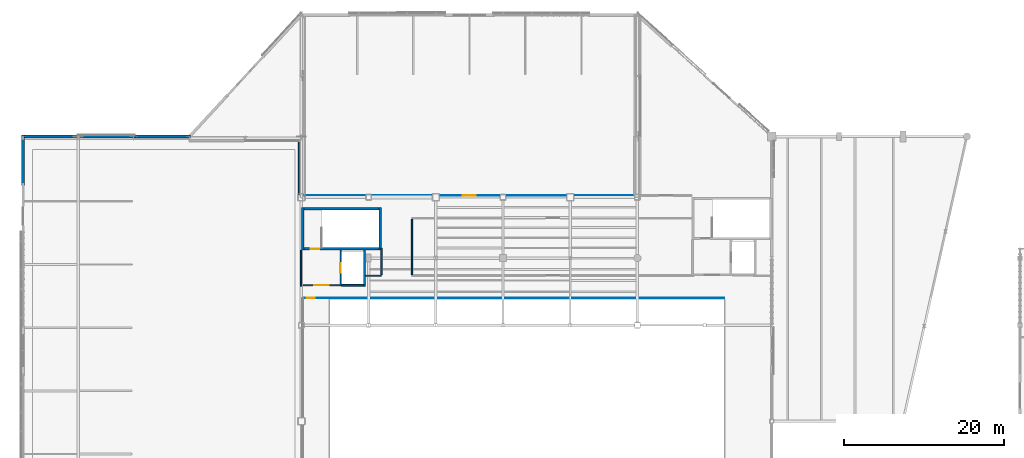
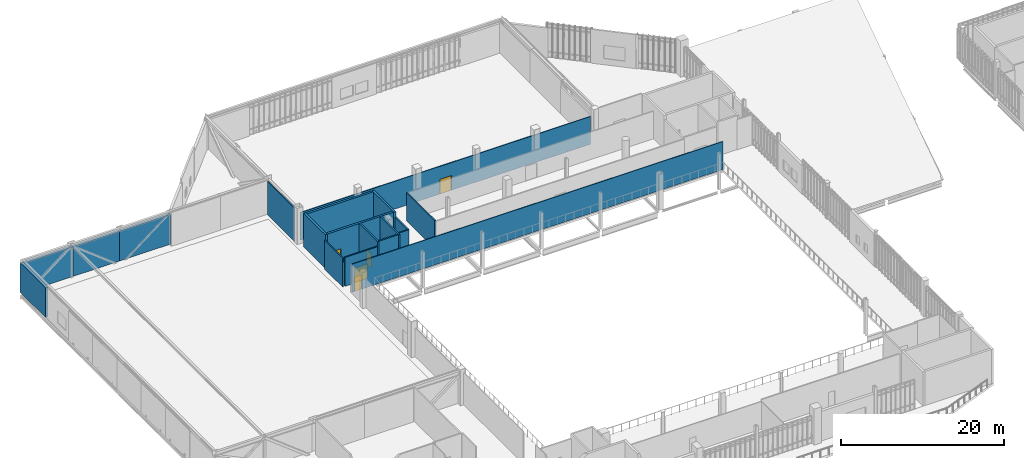
# One storey, part 116 of 135: 19 walls, 5 doors, 5 openings.
"""IFC4 building model written with IfcOpenShell, lengths in metres."""

from ifc_helpers import new_model, si_unit, direction, frame, frame_2d, origin, place, context, subcontext, project, spatial, rectangle, extrude, material, layer, layer_set, type_object, element, fill, save


model = new_model("IFC4")

# Units and contexts
model_context = context("Model", 3, precision=1e-05, world=origin(), true_north=direction((0.0, 1.0)))
body_context = subcontext(model_context, "Body", "Model", "MODEL_VIEW")
ifc_project = project(units=[si_unit("LENGTHUNIT", "METRE"), si_unit("AREAUNIT", "SQUARE_METRE"), si_unit("VOLUMEUNIT", "CUBIC_METRE"), si_unit("PLANEANGLEUNIT", "RADIAN"), si_unit("MASSUNIT", "GRAM", prefix="KILO")], contexts=[model_context])

# Site, building, storey
site_placement = place(None, origin())
site = spatial("IfcSite", under=ifc_project, at=site_placement, CompositionType="ELEMENT")
building_placement = place(site_placement, origin())
building = spatial("IfcBuilding", under=site, at=building_placement, Name="Larkvane Passage Sports Hall", CompositionType="ELEMENT")
storey_placement = place(building_placement, frame((0.0, 0.0, 16.800048828125)))
storey = spatial("IfcBuildingStorey", under=building, at=storey_placement, Name="L03", CompositionType="ELEMENT", Elevation=16.800048828125)

# Wall
ifc_material_1 = material(Name="Concrete C50/60", Category="concrete")
ifc_layer_1 = layer(ifc_material_1, 0.340087890625)
ifc_layer_set_1 = layer_set([ifc_layer_1], Name="Concrete C50/60")
wall_type_1 = type_object("IfcWallType", Name="WL-CORE-340", PredefinedType="SHEAR", material=ifc_layer_set_1)
wall_1_placement = place(storey_placement, frame((44.64990234375, 90.300048828125, 0.0), z_axis=(0.0, 0.0, 1.0), x_axis=(0.0, -1.0, 0.0)))
element("IfcWall", 1, at=wall_1_placement, inside=storey, type_object=wall_type_1, Name="Core shear wall WAL-CORE-C2-L03-E", PredefinedType="SHEAR", context=body_context, shape_type="SweptSolid", body=[
    extrude(rectangle(XDim=5.300048828125, YDim=0.300048828125, at=frame_2d((2.64990234375, 0.0))), origin(), (0.0, 0.0, 1.0), 5.070068359375),
])

# Wall, opening, door
wall_2_placement = place(storey_placement, frame((44.5, 85.14990234375, 0.0), z_axis=(0.0, 0.0, 1.0), x_axis=(-1.0, 0.0, 0.0)))
wall_2 = element("IfcWall", 2, at=wall_2_placement, inside=storey, type_object=wall_type_1, Name="Core shear wall WAL-CORE-C2-L03-S", PredefinedType="SHEAR", context=body_context, shape_type="SweptSolid", body=[
    extrude(rectangle(XDim=9.39990234375, YDim=0.300048828125, at=frame_2d((4.699951171875, 0.0))), origin(), (0.0, 0.0, 1.0), 5.070068359375),
])
opening_1_placement = place(wall_2_placement, frame((7.5, 0.0, 0.0)))
opening_1 = element("IfcOpeningElement", 3, at=opening_1_placement, cuts=wall_2, Name="Opening DF-01", PredefinedType="OPENING", context=body_context, shape_type="SweptSolid", body=[
    extrude(rectangle(XDim=1.050048828125, YDim=2.199951171875, at=frame_2d((0.52490234375, 1.10009765625))), frame((0.0, 0.159912109375, 0.0), z_axis=(0.0, -1.0, 0.0), x_axis=(1.0, 0.0, 0.0)), (0.0, 0.0, 1.0), 0.320068359375),
])
ifc_material_2 = material(Name="Steel S355JR smoke-sealed fire door", Category="steel")
door_type_1 = type_object("IfcDoorType", Name="DR-FIRE-1050", OperationType="NOTDEFINED", PredefinedType="DOOR", material=ifc_material_2)
door_1_placement = place(opening_1_placement, origin())
door_1 = element("IfcDoor", 4, at=door_1_placement, inside=storey, type_object=door_type_1, Name="Stair ST-02 L03 fire door", OperationType="SINGLE_SWING_LEFT", OverallHeight=2.199951171875, OverallWidth=1.050048828125, PredefinedType="DOOR", context=body_context, shape_type="SweptSolid", body=[
    extrude(rectangle(XDim=1.050048828125, YDim=2.199951171875, at=frame_2d((0.52490234375, 1.10009765625))), frame((0.0, 0.02490234375, 0.0), z_axis=(0.0, -1.0, 0.0), x_axis=(1.0, 0.0, 0.0)), (0.0, 0.0, 1.0), 0.050048828125),
])
fill(opening_1, door_1)

# Walls
wall_3_placement = place(storey_placement, frame((35.10009765625, 90.14990234375, 0.0), z_axis=(0.0, 0.0, 1.0), x_axis=(1.0, 0.0, 0.0)))
element("IfcWall", 5, at=wall_3_placement, inside=storey, type_object=wall_type_1, Name="Core shear wall WAL-CORE-C2-L03-N", PredefinedType="SHEAR", context=body_context, shape_type="SweptSolid", body=[
    extrude(rectangle(XDim=9.39990234375, YDim=0.300048828125, at=frame_2d((4.699951171875, 0.0))), origin(), (0.0, 0.0, 1.0), 5.070068359375),
])
ifc_layer_2 = layer(ifc_material_1, 0.340087890625)
ifc_layer_set_2 = layer_set([ifc_layer_2], Name="Concrete C50/60")
wall_type_2 = type_object("IfcWallType", Name="WL-CORE-EXT-340", PredefinedType="SHEAR", material=ifc_layer_set_2)
wall_4_placement = place(storey_placement, frame((34.949951171875, 85.0, 0.0), z_axis=(0.0, 0.0, 1.0), x_axis=(0.0, 1.0, 0.0)))
element("IfcWall", 6, at=wall_4_placement, inside=storey, type_object=wall_type_2, Name="Core shear wall WAL-CORE-C2-L03-W", PredefinedType="SHEAR", context=body_context, shape_type="SweptSolid", body=[
    extrude(rectangle(XDim=5.300048828125, YDim=0.300048828125, at=frame_2d((2.64990234375, 0.0))), origin(), (0.0, 0.0, 1.0), 5.070068359375),
])
ifc_material_3 = material(Name="Precast concrete C45/55", Category="concrete")
ifc_layer_3 = layer(ifc_material_3, 0.344970703125)
ifc_layer_set_3 = layer_set([ifc_layer_3], Name="Precast concrete C45/55")
wall_type_3 = type_object("IfcWallType", Name="WL-EXT-345", PredefinedType="SOLIDWALL", material=ifc_layer_set_3)
wall_5_placement = place(storey_placement, frame((0.0, 93.08447265625, 0.0), z_axis=(0.0, 0.0, 1.0), x_axis=(0.0, 1.0, 0.0)))
element("IfcWall", 7, at=wall_5_placement, inside=storey, type_object=wall_type_3, Name="Exterior wall WAL-EXT-L03-190", PredefinedType="SOLIDWALL", context=body_context, shape_type="SweptSolid", body=[
    extrude(rectangle(XDim=6.281005859375, YDim=0.344970703125, at=frame_2d((3.140625, 0.0))), origin(), (0.0, 0.0, 1.0), 4.449951171875),
])
wall_6_placement = place(storey_placement, frame((-0.16552734375, 99.199951171875, 0.0), z_axis=(0.0, 0.0, 1.0), x_axis=(1.0, 0.0, 0.0)))
element("IfcWall", 8, at=wall_6_placement, inside=storey, type_object=wall_type_3, Name="Exterior wall WAL-EXT-L03-191", PredefinedType="SOLIDWALL", context=body_context, shape_type="SweptSolid", body=[
    extrude(rectangle(XDim=7.264404296875, YDim=0.344970703125, at=frame_2d((3.63232421875, 0.0))), origin(), (0.0, 0.0, 1.0), 4.449951171875),
])
wall_7_placement = place(storey_placement, frame((6.767578125, 99.199951171875, 0.0), z_axis=(0.0, 0.0, 1.0), x_axis=(1.0, 0.0, 0.0)))
element("IfcWall", 9, at=wall_7_placement, inside=storey, type_object=wall_type_3, Name="Exterior wall WAL-EXT-L03-192", PredefinedType="SOLIDWALL", context=body_context, shape_type="SweptSolid", body=[
    extrude(rectangle(XDim=7.2646484375, YDim=0.344970703125, at=frame_2d((3.63232421875, 0.0))), origin(), (0.0, 0.0, 1.0), 4.449951171875),
])
wall_8_placement = place(storey_placement, frame((13.701171875, 99.199951171875, 0.0), z_axis=(0.0, 0.0, 1.0), x_axis=(1.0, 0.0, 0.0)))
element("IfcWall", 10, at=wall_8_placement, inside=storey, type_object=wall_type_3, Name="Exterior wall WAL-EXT-L03-193", PredefinedType="SOLIDWALL", context=body_context, shape_type="SweptSolid", body=[
    extrude(rectangle(XDim=7.264404296875, YDim=0.344970703125, at=frame_2d((3.63232421875, 0.0))), origin(), (0.0, 0.0, 1.0), 4.449951171875),
])

# Wall, opening, door
ifc_material_4 = material(Name="Concrete C40/50", Category="concrete")
ifc_layer_4 = layer(ifc_material_4, 0.199951171875)
ifc_layer_set_4 = layer_set([ifc_layer_4], Name="Concrete C40/50")
wall_type_4 = type_object("IfcWallType", Name="WL-LOBBY-200", PredefinedType="SOLIDWALL", material=ifc_layer_set_4)
wall_9_placement = place(storey_placement, frame((35.0, 80.60009765625, 0.0), z_axis=(0.0, 0.0, 1.0), x_axis=(1.0, 0.0, 0.0)))
wall_9 = element("IfcWall", 11, at=wall_9_placement, inside=storey, type_object=wall_type_4, Name="Protected stair lobby wall C2 L03", PredefinedType="SOLIDWALL", context=body_context, shape_type="SweptSolid", body=[
    extrude(rectangle(XDim=4.60009765625, YDim=0.199951171875, at=frame_2d((2.300048828125, 0.0))), origin(), (0.0, 0.0, 1.0), 4.31005859375),
])
opening_2_placement = place(wall_9_placement, frame((1.39990234375, 0.0, 0.0)))
opening_2 = element("IfcOpeningElement", 12, at=opening_2_placement, cuts=wall_9, Name="Opening DF-02", PredefinedType="OPENING", context=body_context, shape_type="SweptSolid", body=[
    extrude(rectangle(XDim=1.800048828125, YDim=2.199951171875, at=frame_2d((0.89990234375, 1.10009765625))), frame((0.0, 0.10986328125, 0.0), z_axis=(0.0, -1.0, 0.0), x_axis=(1.0, 0.0, 0.0)), (0.0, 0.0, 1.0), 0.219970703125),
])
ifc_material_5 = material(Name="Steel S355JR double smoke-sealed fire door", Category="steel")
door_type_2 = type_object("IfcDoorType", Name="DR-FIRE-1800", OperationType="DOUBLE_DOOR_SINGLE_SWING", PredefinedType="DOOR", material=ifc_material_5)
door_2_placement = place(opening_2_placement, origin())
door_2 = element("IfcDoor", 13, at=door_2_placement, inside=storey, type_object=door_type_2, Name="Lobby smoke door C2 L03", OperationType="DOUBLE_DOOR_SINGLE_SWING", OverallHeight=2.199951171875, OverallWidth=1.800048828125, PredefinedType="DOOR", context=body_context, shape_type="SweptSolid", body=[
    extrude(rectangle(XDim=1.800048828125, YDim=2.199951171875, at=frame_2d((0.89990234375, 1.10009765625))), frame((0.0, 0.02490234375, 0.0), z_axis=(0.0, -1.0, 0.0), x_axis=(1.0, 0.0, 0.0)), (0.0, 0.0, 1.0), 0.050048828125),
])
fill(opening_2, door_2)

ifc_material_6 = material(Name="Gypsum twin-stud acoustic partition")
ifc_layer_5 = layer(ifc_material_6, 0.10009765625)
ifc_layer_set_5 = layer_set([ifc_layer_5], Name="Gypsum twin-stud acoustic partition")
wall_type_5 = type_object("IfcWallType", Name="WL-PART-100", PredefinedType="PARTITIONING", material=ifc_layer_set_5)
wall_10_placement = place(storey_placement, frame((76.340087890625, 91.820068359375, 0.0), z_axis=(0.0, 0.0, 1.0), x_axis=(-1.0, 0.0, 0.0)))
wall_10 = element("IfcWall", 14, at=wall_10_placement, inside=storey, type_object=wall_type_5, Name="Interior partition WAL-PART-L03-0301", PredefinedType="PARTITIONING", context=body_context, shape_type="SweptSolid", body=[
    extrude(rectangle(XDim=41.14013671875, YDim=0.10009765625, at=frame_2d((20.570068359375, 0.0))), origin(), (0.0, 0.0, 1.0), 4.159912109375),
])
opening_3_placement = place(wall_10_placement, frame((19.77001953125, 0.0, 0.0)))
opening_3 = element("IfcOpeningElement", 15, at=opening_3_placement, cuts=wall_10, Name="Opening DI-03", PredefinedType="OPENING", context=body_context, shape_type="SweptSolid", body=[
    extrude(rectangle(XDim=1.60009765625, YDim=2.199951171875, at=frame_2d((0.800048828125, 1.10009765625))), frame((0.0, 0.06005859375, 0.0), z_axis=(0.0, -1.0, 0.0), x_axis=(1.0, 0.0, 0.0)), (0.0, 0.0, 1.0), 0.1201171875),
])
ifc_material_7 = material(Name="Glazed aluminium studio double door", Category="aluminium")
door_type_3 = type_object("IfcDoorType", Name="DR-INT-1600", OperationType="DOUBLE_DOOR_SINGLE_SWING", PredefinedType="DOOR", material=ifc_material_7)
door_3_placement = place(opening_3_placement, origin())
door_3 = element("IfcDoor", 16, at=door_3_placement, inside=storey, type_object=door_type_3, Name="Interior door L03-0087", OperationType="DOUBLE_DOOR_SINGLE_SWING", OverallHeight=2.199951171875, OverallWidth=1.60009765625, PredefinedType="DOOR", context=body_context, shape_type="SweptSolid", body=[
    extrude(rectangle(XDim=1.60009765625, YDim=2.199951171875, at=frame_2d((0.800048828125, 1.10009765625))), frame((0.0, 0.02490234375, 0.0), z_axis=(0.0, -1.0, 0.0), x_axis=(1.0, 0.0, 0.0)), (0.0, 0.0, 1.0), 0.050048828125),
])
fill(opening_3, door_3)

wall_11_placement = place(storey_placement, frame((87.679931640625, 79.0, 0.0), z_axis=(0.0, 0.0, 1.0), x_axis=(-1.0, 0.0, 0.0)))
wall_11 = element("IfcWall", 17, at=wall_11_placement, inside=storey, type_object=wall_type_5, Name="Interior partition WAL-PART-L03-0365", PredefinedType="PARTITIONING", context=body_context, shape_type="SweptSolid", body=[
    extrude(rectangle(XDim=52.579833984375, YDim=0.10009765625, at=frame_2d((26.2900390625, 0.0))), origin(), (0.0, 0.0, 1.0), 4.2099609375),
])
opening_4_placement = place(wall_11_placement, frame((51.22998046875, 0.0, 0.0)))
opening_4 = element("IfcOpeningElement", 18, at=opening_4_placement, cuts=wall_11, Name="Opening DI-01", PredefinedType="OPENING", context=body_context, shape_type="SweptSolid", body=[
    extrude(rectangle(XDim=1.0, YDim=2.14990234375, at=frame_2d((0.5, 1.074951171875))), frame((0.0, 0.06005859375, 0.0), z_axis=(0.0, -1.0, 0.0), x_axis=(1.0, 0.0, 0.0)), (0.0, 0.0, 1.0), 0.1201171875),
])
ifc_material_8 = material(Name="Solid-core hardwood acoustic door", Category="wood")
door_type_4 = type_object("IfcDoorType", Name="DR-INT-1000", OperationType="NOTDEFINED", PredefinedType="DOOR", material=ifc_material_8)
door_4_placement = place(opening_4_placement, origin())
door_4 = element("IfcDoor", 19, at=door_4_placement, inside=storey, type_object=door_type_4, Name="Interior door L03-0104", OperationType="SINGLE_SWING_RIGHT", OverallHeight=2.14990234375, OverallWidth=1.0, PredefinedType="DOOR", context=body_context, shape_type="SweptSolid", body=[
    extrude(rectangle(XDim=1.0, YDim=2.14990234375, at=frame_2d((0.5, 1.074951171875))), frame((0.0, 0.02490234375, 0.0), z_axis=(0.0, -1.0, 0.0), x_axis=(1.0, 0.0, 0.0)), (0.0, 0.0, 1.0), 0.050048828125),
])
fill(opening_4, door_4)

# Walls
ifc_material_9 = material(Name="Gypsum twin-stud fire-rated partition")
ifc_layer_6 = layer(ifc_material_9, 0.125)
ifc_layer_set_6 = layer_set([ifc_layer_6], Name="Gypsum twin-stud fire-rated partition")
wall_type_6 = type_object("IfcWallType", Name="WL-PART-125", PredefinedType="PARTITIONING", material=ifc_layer_set_6)
wall_12_placement = place(storey_placement, frame((34.4599609375, 98.5400390625, 0.0), z_axis=(0.0, 0.0, 1.0), x_axis=(0.0, -1.0, 0.0)))
element("IfcWall", 20, at=wall_12_placement, inside=storey, type_object=wall_type_6, Name="Interior partition WAL-PART-L03-0294", PredefinedType="PARTITIONING", context=body_context, shape_type="SweptSolid", body=[
    extrude(rectangle(XDim=6.615966796875, YDim=0.125, at=frame_2d((3.30810546875, 0.0))), origin(), (0.0, 0.0, 1.0), 5.050048828125),
])
ifc_material_10 = material(Name="Gypsum acoustic partition")
ifc_layer_7 = layer(ifc_material_10, 0.14990234375)
ifc_layer_set_7 = layer_set([ifc_layer_7], Name="Gypsum acoustic partition")
wall_type_7 = type_object("IfcWallType", Name="WL-PART-150", PredefinedType="PARTITIONING", material=ifc_layer_set_7)
wall_13_placement = place(storey_placement, frame((34.739990234375, 85.0, 0.0), z_axis=(0.0, 0.0, 1.0), x_axis=(0.0, -1.0, 0.0)))
element("IfcWall", 21, at=wall_13_placement, inside=storey, type_object=wall_type_7, Name="Interior partition WAL-PART-L03-0295", PredefinedType="PARTITIONING", context=body_context, shape_type="SweptSolid", body=[
    extrude(rectangle(XDim=4.5, YDim=0.14990234375, at=frame_2d((2.25, 0.0))), origin(), (0.0, 0.0, 1.0), 4.31005859375),
])
wall_14_placement = place(storey_placement, frame((42.820068359375, 81.800048828125, 0.0), z_axis=(0.0, 0.0, 1.0), x_axis=(1.0, 0.0, 0.0)))
element("IfcWall", 22, at=wall_14_placement, inside=storey, type_object=wall_type_7, Name="Interior partition WAL-PART-L03-0363", PredefinedType="PARTITIONING", context=body_context, shape_type="SweptSolid", body=[
    extrude(rectangle(XDim=1.97998046875, YDim=0.14990234375, at=frame_2d((0.989990234375, 0.0))), origin(), (0.0, 0.0, 1.0), 4.31787109375),
])
ifc_material_11 = material(Name="Gypsum high-bay court partition")
ifc_layer_8 = layer(ifc_material_11, 0.179931640625)
ifc_layer_set_8 = layer_set([ifc_layer_8], Name="Gypsum high-bay court partition")
wall_type_8 = type_object("IfcWallType", Name="WL-PART-180", PredefinedType="PARTITIONING", material=ifc_layer_set_8)
wall_15_placement = place(storey_placement, frame((48.6201171875, 81.93994140625, 0.0), z_axis=(0.0, 0.0, 1.0), x_axis=(0.0, 1.0, 0.0)))
element("IfcWall", 23, at=wall_15_placement, inside=storey, type_object=wall_type_8, Name="Interior partition WAL-PART-L03-0320", PredefinedType="PARTITIONING", context=body_context, shape_type="SweptSolid", body=[
    extrude(rectangle(XDim=6.920166015625, YDim=0.179931640625, at=frame_2d((3.4599609375, 0.0))), origin(), (0.0, 0.0, 1.0), 4.218017578125),
])
wall_16_placement = place(storey_placement, frame((44.800048828125, 81.919921875, 0.0), z_axis=(0.0, 0.0, 1.0), x_axis=(0.0, 1.0, 0.0)))
element("IfcWall", 24, at=wall_16_placement, inside=storey, type_object=wall_type_8, Name="Interior partition WAL-PART-L03-0364", PredefinedType="PARTITIONING", context=body_context, shape_type="SweptSolid", body=[
    extrude(rectangle(XDim=3.340087890625, YDim=0.179931640625, at=frame_2d((1.669921875, 0.0))), origin(), (0.0, 0.0, 1.0), 4.218017578125),
])

# Wall, opening, door
ifc_layer_9 = layer(ifc_material_4, 0.219970703125)
ifc_layer_set_9 = layer_set([ifc_layer_9], Name="Concrete C40/50")
wall_type_9 = type_object("IfcWallType", Name="WL-SHAFT-220", PredefinedType="SOLIDWALL", material=ifc_layer_set_9)
wall_17_placement = place(storey_placement, frame((39.7099609375, 80.5, 0.0), z_axis=(0.0, 0.0, 1.0), x_axis=(0.0, 1.0, 0.0)))
wall_17 = element("IfcWall", 25, at=wall_17_placement, inside=storey, type_object=wall_type_9, Name="Lift shaft front wall L-03 L03", PredefinedType="SOLIDWALL", context=body_context, shape_type="SweptSolid", body=[
    extrude(rectangle(XDim=4.5, YDim=0.219970703125, at=frame_2d((2.25, 0.0))), origin(), (0.0, 0.0, 1.0), 5.070068359375),
])
opening_5_placement = place(wall_17_placement, frame((1.64990234375, 0.0, 0.0)))
opening_5 = element("IfcOpeningElement", 26, at=opening_5_placement, cuts=wall_17, Name="Opening LD-01", PredefinedType="OPENING", context=body_context, shape_type="SweptSolid", body=[
    extrude(rectangle(XDim=1.199951171875, YDim=2.199951171875, at=frame_2d((0.60009765625, 1.10009765625))), frame((0.0, 0.119873046875, 0.0), z_axis=(0.0, -1.0, 0.0), x_axis=(1.0, 0.0, 0.0)), (0.0, 0.0, 1.0), 0.239990234375),
])
ifc_material_12 = material(Name="Stainless steel S355JR lift landing door", Category="steel")
door_type_5 = type_object("IfcDoorType", Name="DR-LIFT-1200", OperationType="SLIDING_TO_LEFT", PredefinedType="DOOR", material=ifc_material_12)
door_5_placement = place(opening_5_placement, origin())
door_5 = element("IfcDoor", 27, at=door_5_placement, inside=storey, type_object=door_type_5, Name="Lift landing door L-03 L03", OperationType="SLIDING_TO_LEFT", OverallHeight=2.199951171875, OverallWidth=1.199951171875, PredefinedType="DOOR", context=body_context, shape_type="SweptSolid", body=[
    extrude(rectangle(XDim=1.199951171875, YDim=2.199951171875, at=frame_2d((0.60009765625, 1.10009765625))), frame((0.0, 0.02490234375, 0.0), z_axis=(0.0, -1.0, 0.0), x_axis=(1.0, 0.0, 0.0)), (0.0, 0.0, 1.0), 0.050048828125),
])
fill(opening_5, door_5)

# Walls
wall_18_placement = place(storey_placement, frame((42.68994140625, 80.5, 0.0), z_axis=(0.0, 0.0, 1.0), x_axis=(0.0, 1.0, 0.0)))
element("IfcWall", 28, at=wall_18_placement, inside=storey, type_object=wall_type_9, Name="Lift shaft rear wall L-03 L03", PredefinedType="SOLIDWALL", context=body_context, shape_type="SweptSolid", body=[
    extrude(rectangle(XDim=4.5, YDim=0.219970703125, at=frame_2d((2.25, 0.0))), origin(), (0.0, 0.0, 1.0), 5.070068359375),
])
wall_19_placement = place(storey_placement, frame((39.820068359375, 80.610107421875, 0.0), z_axis=(0.0, 0.0, 1.0), x_axis=(1.0, 0.0, 0.0)))
element("IfcWall", 29, at=wall_19_placement, inside=storey, type_object=wall_type_9, Name="Lift shaft end wall L-03 L03", PredefinedType="SOLIDWALL", context=body_context, shape_type="SweptSolid", body=[
    extrude(rectangle(XDim=2.760009765625, YDim=0.219970703125, at=frame_2d((1.3798828125, 0.0))), origin(), (0.0, 0.0, 1.0), 5.070068359375),
])

save(model, "model.ifc")
